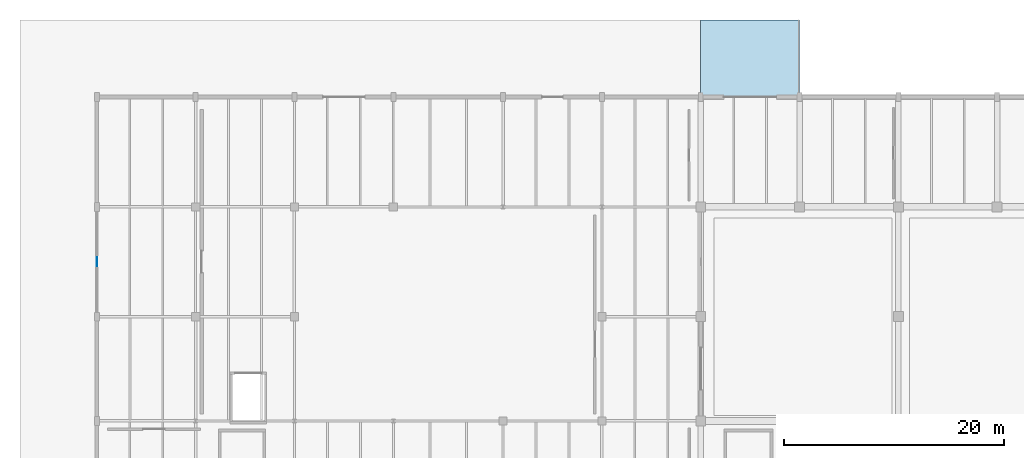
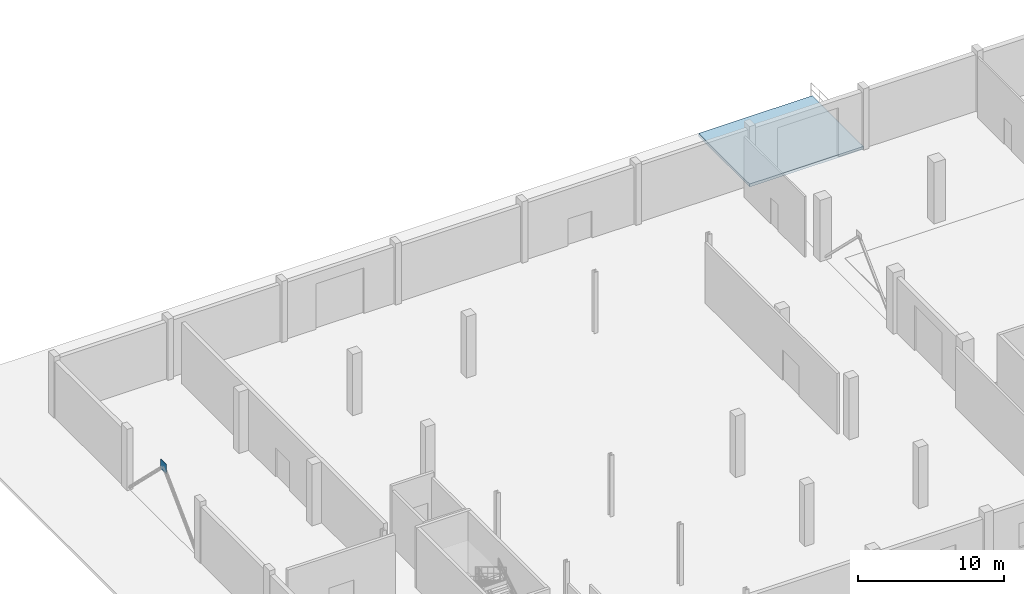
# One storey, part 72 of 103: 1 plate, 1 slab.
"""IFC4 building model written with IfcOpenShell, lengths in metres."""

from ifc_helpers import new_model, si_unit, direction, frame, origin, origin_2d, place, context, subcontext, project, spatial, polyline, rectangle, outline, extrude, material, layer, layer_set, type_object, element, save


model = new_model("IFC4")

# Units and contexts
model_context = context("Model", 3, precision=1e-05, world=origin(), true_north=direction((0.0, 1.0)))
body_context = subcontext(model_context, "Body", "Model", "MODEL_VIEW")
ifc_project = project(units=[si_unit("LENGTHUNIT", "METRE"), si_unit("AREAUNIT", "SQUARE_METRE"), si_unit("VOLUMEUNIT", "CUBIC_METRE"), si_unit("PLANEANGLEUNIT", "RADIAN"), si_unit("MASSUNIT", "GRAM", prefix="KILO")], contexts=[model_context])

# Site, building, storey
site_placement = place(None, origin())
site = spatial("IfcSite", under=ifc_project, at=site_placement, CompositionType="ELEMENT")
building_placement = place(site_placement, origin())
building = spatial("IfcBuilding", under=site, at=building_placement, Name="Marnock Terrace Opera House", CompositionType="ELEMENT")
storey_placement = place(building_placement, origin())
storey = spatial("IfcBuildingStorey", under=building, at=storey_placement, Name="L00", CompositionType="ELEMENT", Elevation=0.0)

# Plate
ifc_material_1 = material(Name="Steel Grade 350 (AS/NZS 3679.1)", Category="steel")
ifc_layer_1 = layer(ifc_material_1, 0.030029296875)
ifc_layer_set_1 = layer_set([ifc_layer_1], Name="Steel Grade 350 (AS/NZS 3679.1)")
plate_type = type_object("IfcPlateType", Name="PLT-GUSSET-30", PredefinedType="SHEET", material=ifc_layer_set_1)
plate_placement = place(storey_placement, frame((0.0, 99.0, 4.3701171875), z_axis=(0.0, 0.0, 1.0), x_axis=(0.0, 1.0, 0.0)))
element("IfcPlate", 1, at=plate_placement, inside=storey, type_object=plate_type, Name="L00 chevron brace gusset plate BN-4", PredefinedType="SHEET", context=body_context, shape_type="SweptSolid", body=[
    extrude(rectangle(XDim=0.780029296875, YDim=0.030029296875, at=origin_2d()), origin(), (0.0, 0.0, 1.0), 0.780029296875),
])

# Slab
ifc_material_2 = material(Name="Concrete N32 (f'c = 32 MPa)", Category="concrete")
ifc_layer_2 = layer(ifc_material_2, 0.239990234375)
ifc_layer_set_2 = layer_set([ifc_layer_2], Name="Concrete N32 (f'c = 32 MPa)")
slab_type = type_object("IfcSlabType", Name="SL-APRON-240", PredefinedType="BASESLAB", material=ifc_layer_set_2)
slab_placement = place(storey_placement, frame((0.0, 0.0, -0.239990234375)))
element("IfcSlab", 2, at=slab_placement, inside=storey, type_object=slab_type, Name="North stage west paved apron", PredefinedType="BASESLAB", context=body_context, shape_type="SweptSolid", body=[
    extrude(outline(polyline([(55.0, 114.0), (64.0, 114.0), (64.0, 121.0), (55.0, 121.0), (55.0, 114.0)])), origin(), (0.0, 0.0, 1.0), 0.239990234375),
])

save(model, "model.ifc")
